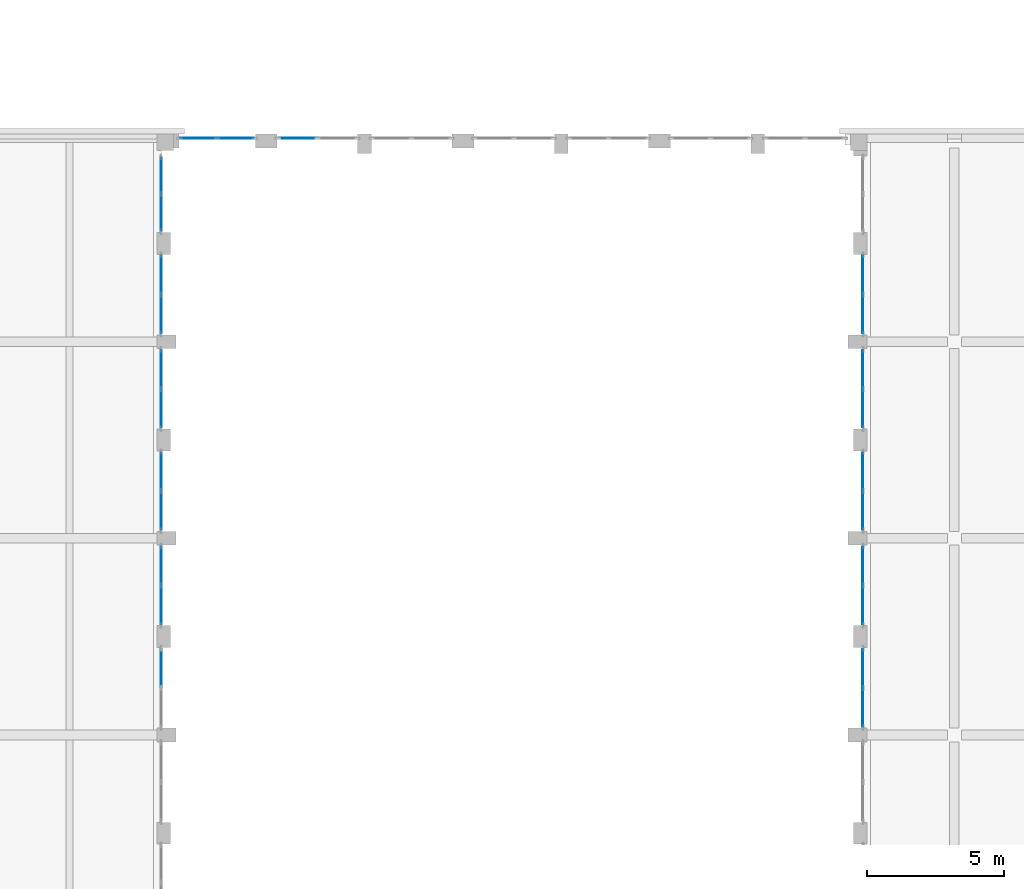
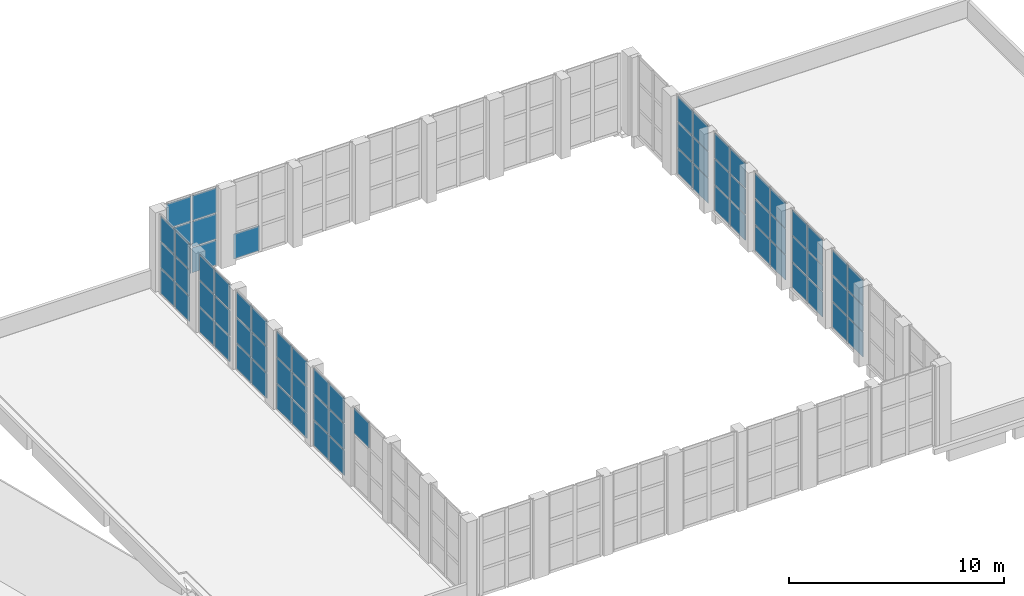
# One storey, part 11 of 44: 68 plates, 13 elements without a shape of their own.
"""IFC4 building model written with IfcOpenShell, lengths in metres."""

from ifc_helpers import new_model, si_unit, direction, frame, origin, origin_2d, place, context, subcontext, project, spatial, rectangle, extrude, material, layer, layer_set, type_object, element, aggregate, save


model = new_model("IFC4")

# Units and contexts
model_context = context("Model", 3, precision=1e-05, world=origin(), true_north=direction((0.0, 1.0)))
body_context = subcontext(model_context, "Body", "Model", "MODEL_VIEW")
ifc_project = project(units=[si_unit("LENGTHUNIT", "METRE"), si_unit("AREAUNIT", "SQUARE_METRE"), si_unit("VOLUMEUNIT", "CUBIC_METRE"), si_unit("PLANEANGLEUNIT", "RADIAN"), si_unit("MASSUNIT", "GRAM", prefix="KILO")], contexts=[model_context])

# Site, building, storey
site_placement = place(None, origin())
site = spatial("IfcSite", under=ifc_project, at=site_placement, CompositionType="ELEMENT")
building_placement = place(site_placement, origin())
building = spatial("IfcBuilding", under=site, at=building_placement, Name="Ussher Court Research Institute", CompositionType="ELEMENT")
storey_placement = place(building_placement, frame((0.0, 0.0, 18.89990234375)))
storey = spatial("IfcBuildingStorey", under=building, at=storey_placement, Name="L04", CompositionType="ELEMENT", Elevation=18.89990234375)

# Curtain wall, plates
ifc_material_1 = material(Name="Bronze anodised aluminium with low-e glass", Category="aluminium")
ifc_layer_1 = layer(ifc_material_1, 0.159912109375)
ifc_layer_set_1 = layer_set([ifc_layer_1], Name="Bronze anodised aluminium with low-e glass")
curtain_wall_type = type_object("IfcCurtainWallType", Name="Curtain wall atrium clerestory tall glazing", PredefinedType="NOTDEFINED", material=ifc_layer_set_1)
curtain_wall_1_placement = place(storey_placement, origin())
curtain_wall_1 = element("IfcCurtainWall", 1, at=curtain_wall_1_placement, inside=storey, type_object=curtain_wall_type, Name="Curtain wall CW3 L04", PredefinedType="NOTDEFINED")
ifc_material_2 = material(Name="Double glazed unit laminated")
ifc_layer_2 = layer(ifc_material_2, 0.035888671875)
ifc_layer_set_2 = layer_set([ifc_layer_2], Name="Double glazed unit laminated")
plate_type = type_object("IfcPlateType", Name="Glazing panel 36 mm", PredefinedType="CURTAIN_PANEL", material=ifc_layer_set_2)
plate_1_placement = place(storey_placement, frame((64.449951171875, 35.24755859375, 0.06005859375), z_axis=(0.0, 0.0, 1.0), x_axis=(0.0, -1.0, 0.0)))
plate_1 = element("IfcPlate", 2, at=plate_1_placement, type_object=plate_type, Name="CW3 panel 1.1", PredefinedType="CURTAIN_PANEL", context=body_context, shape_type="SweptSolid", body=[
    extrude(rectangle(XDim=1.385009765625, YDim=0.035888671875, at=origin_2d()), origin(), (0.0, 0.0, 1.0), 1.409912109375),
])
plate_2_placement = place(storey_placement, frame((64.449951171875, 35.24755859375, 1.530029296875), z_axis=(0.0, 0.0, 1.0), x_axis=(0.0, -1.0, 0.0)))
plate_2 = element("IfcPlate", 3, at=plate_2_placement, type_object=plate_type, Name="CW3 panel 1.2", PredefinedType="CURTAIN_PANEL", context=body_context, shape_type="SweptSolid", body=[
    extrude(rectangle(XDim=1.385009765625, YDim=0.035888671875, at=origin_2d()), origin(), (0.0, 0.0, 1.0), 1.43994140625),
])
plate_3_placement = place(storey_placement, frame((64.449951171875, 35.24755859375, 3.0302734375), z_axis=(0.0, 0.0, 1.0), x_axis=(0.0, -1.0, 0.0)))
plate_3 = element("IfcPlate", 4, at=plate_3_placement, type_object=plate_type, Name="CW3 panel 1.3", PredefinedType="CURTAIN_PANEL", context=body_context, shape_type="SweptSolid", body=[
    extrude(rectangle(XDim=1.385009765625, YDim=0.035888671875, at=origin_2d()), origin(), (0.0, 0.0, 1.0), 1.409912109375),
])
plate_4_placement = place(storey_placement, frame((64.449951171875, 33.802490234375, 0.06005859375), z_axis=(0.0, 0.0, 1.0), x_axis=(0.0, -1.0, 0.0)))
plate_4 = element("IfcPlate", 5, at=plate_4_placement, type_object=plate_type, Name="CW3 panel 2.1", PredefinedType="CURTAIN_PANEL", context=body_context, shape_type="SweptSolid", body=[
    extrude(rectangle(XDim=1.385009765625, YDim=0.035888671875, at=origin_2d()), origin(), (0.0, 0.0, 1.0), 1.409912109375),
])
plate_5_placement = place(storey_placement, frame((64.449951171875, 33.802490234375, 1.530029296875), z_axis=(0.0, 0.0, 1.0), x_axis=(0.0, -1.0, 0.0)))
plate_5 = element("IfcPlate", 6, at=plate_5_placement, type_object=plate_type, Name="CW3 panel 2.2", PredefinedType="CURTAIN_PANEL", context=body_context, shape_type="SweptSolid", body=[
    extrude(rectangle(XDim=1.385009765625, YDim=0.035888671875, at=origin_2d()), origin(), (0.0, 0.0, 1.0), 1.43994140625),
])
plate_6_placement = place(storey_placement, frame((64.449951171875, 33.802490234375, 3.0302734375), z_axis=(0.0, 0.0, 1.0), x_axis=(0.0, -1.0, 0.0)))
plate_6 = element("IfcPlate", 7, at=plate_6_placement, type_object=plate_type, Name="CW3 panel 2.3", PredefinedType="CURTAIN_PANEL", context=body_context, shape_type="SweptSolid", body=[
    extrude(rectangle(XDim=1.385009765625, YDim=0.035888671875, at=origin_2d()), origin(), (0.0, 0.0, 1.0), 1.409912109375),
])
aggregate(curtain_wall_1, [plate_1, plate_2, plate_3, plate_4, plate_5, plate_6])

curtain_wall_2_placement = place(storey_placement, origin())
curtain_wall_2 = element("IfcCurtainWall", 8, at=curtain_wall_2_placement, inside=storey, type_object=curtain_wall_type, Name="Curtain wall CW3 L04", PredefinedType="NOTDEFINED")
plate_7_placement = place(storey_placement, frame((64.449951171875, 31.797607421875, 0.06005859375), z_axis=(0.0, 0.0, 1.0), x_axis=(0.0, -1.0, 0.0)))
plate_7 = element("IfcPlate", 9, at=plate_7_placement, type_object=plate_type, Name="CW3 panel 1.1", PredefinedType="CURTAIN_PANEL", context=body_context, shape_type="SweptSolid", body=[
    extrude(rectangle(XDim=1.385009765625, YDim=0.035888671875, at=origin_2d()), origin(), (0.0, 0.0, 1.0), 1.409912109375),
])
plate_8_placement = place(storey_placement, frame((64.449951171875, 31.797607421875, 1.530029296875), z_axis=(0.0, 0.0, 1.0), x_axis=(0.0, -1.0, 0.0)))
plate_8 = element("IfcPlate", 10, at=plate_8_placement, type_object=plate_type, Name="CW3 panel 1.2", PredefinedType="CURTAIN_PANEL", context=body_context, shape_type="SweptSolid", body=[
    extrude(rectangle(XDim=1.385009765625, YDim=0.035888671875, at=origin_2d()), origin(), (0.0, 0.0, 1.0), 1.43994140625),
])
plate_9_placement = place(storey_placement, frame((64.449951171875, 31.797607421875, 3.0302734375), z_axis=(0.0, 0.0, 1.0), x_axis=(0.0, -1.0, 0.0)))
plate_9 = element("IfcPlate", 11, at=plate_9_placement, type_object=plate_type, Name="CW3 panel 1.3", PredefinedType="CURTAIN_PANEL", context=body_context, shape_type="SweptSolid", body=[
    extrude(rectangle(XDim=1.385009765625, YDim=0.035888671875, at=origin_2d()), origin(), (0.0, 0.0, 1.0), 1.409912109375),
])
plate_10_placement = place(storey_placement, frame((64.449951171875, 30.3525390625, 0.06005859375), z_axis=(0.0, 0.0, 1.0), x_axis=(0.0, -1.0, 0.0)))
plate_10 = element("IfcPlate", 12, at=plate_10_placement, type_object=plate_type, Name="CW3 panel 2.1", PredefinedType="CURTAIN_PANEL", context=body_context, shape_type="SweptSolid", body=[
    extrude(rectangle(XDim=1.385009765625, YDim=0.035888671875, at=origin_2d()), origin(), (0.0, 0.0, 1.0), 1.409912109375),
])
plate_11_placement = place(storey_placement, frame((64.449951171875, 30.3525390625, 1.530029296875), z_axis=(0.0, 0.0, 1.0), x_axis=(0.0, -1.0, 0.0)))
plate_11 = element("IfcPlate", 13, at=plate_11_placement, type_object=plate_type, Name="CW3 panel 2.2", PredefinedType="CURTAIN_PANEL", context=body_context, shape_type="SweptSolid", body=[
    extrude(rectangle(XDim=1.385009765625, YDim=0.035888671875, at=origin_2d()), origin(), (0.0, 0.0, 1.0), 1.43994140625),
])
plate_12_placement = place(storey_placement, frame((64.449951171875, 30.3525390625, 3.0302734375), z_axis=(0.0, 0.0, 1.0), x_axis=(0.0, -1.0, 0.0)))
plate_12 = element("IfcPlate", 14, at=plate_12_placement, type_object=plate_type, Name="CW3 panel 2.3", PredefinedType="CURTAIN_PANEL", context=body_context, shape_type="SweptSolid", body=[
    extrude(rectangle(XDim=1.385009765625, YDim=0.035888671875, at=origin_2d()), origin(), (0.0, 0.0, 1.0), 1.409912109375),
])
aggregate(curtain_wall_2, [plate_7, plate_8, plate_9, plate_10, plate_11, plate_12])

curtain_wall_3_placement = place(storey_placement, origin())
curtain_wall_3 = element("IfcCurtainWall", 15, at=curtain_wall_3_placement, inside=storey, type_object=curtain_wall_type, Name="Curtain wall CW3 L04", PredefinedType="NOTDEFINED")
plate_13_placement = place(storey_placement, frame((64.449951171875, 28.047607421875, 0.06005859375), z_axis=(0.0, 0.0, 1.0), x_axis=(0.0, -1.0, 0.0)))
plate_13 = element("IfcPlate", 16, at=plate_13_placement, type_object=plate_type, Name="CW3 panel 1.1", PredefinedType="CURTAIN_PANEL", context=body_context, shape_type="SweptSolid", body=[
    extrude(rectangle(XDim=1.385009765625, YDim=0.035888671875, at=origin_2d()), origin(), (0.0, 0.0, 1.0), 1.409912109375),
])
plate_14_placement = place(storey_placement, frame((64.449951171875, 28.047607421875, 1.530029296875), z_axis=(0.0, 0.0, 1.0), x_axis=(0.0, -1.0, 0.0)))
plate_14 = element("IfcPlate", 17, at=plate_14_placement, type_object=plate_type, Name="CW3 panel 1.2", PredefinedType="CURTAIN_PANEL", context=body_context, shape_type="SweptSolid", body=[
    extrude(rectangle(XDim=1.385009765625, YDim=0.035888671875, at=origin_2d()), origin(), (0.0, 0.0, 1.0), 1.43994140625),
])
plate_15_placement = place(storey_placement, frame((64.449951171875, 28.047607421875, 3.0302734375), z_axis=(0.0, 0.0, 1.0), x_axis=(0.0, -1.0, 0.0)))
plate_15 = element("IfcPlate", 18, at=plate_15_placement, type_object=plate_type, Name="CW3 panel 1.3", PredefinedType="CURTAIN_PANEL", context=body_context, shape_type="SweptSolid", body=[
    extrude(rectangle(XDim=1.385009765625, YDim=0.035888671875, at=origin_2d()), origin(), (0.0, 0.0, 1.0), 1.409912109375),
])
plate_16_placement = place(storey_placement, frame((64.449951171875, 26.6025390625, 0.06005859375), z_axis=(0.0, 0.0, 1.0), x_axis=(0.0, -1.0, 0.0)))
plate_16 = element("IfcPlate", 19, at=plate_16_placement, type_object=plate_type, Name="CW3 panel 2.1", PredefinedType="CURTAIN_PANEL", context=body_context, shape_type="SweptSolid", body=[
    extrude(rectangle(XDim=1.385009765625, YDim=0.035888671875, at=origin_2d()), origin(), (0.0, 0.0, 1.0), 1.409912109375),
])
plate_17_placement = place(storey_placement, frame((64.449951171875, 26.6025390625, 1.530029296875), z_axis=(0.0, 0.0, 1.0), x_axis=(0.0, -1.0, 0.0)))
plate_17 = element("IfcPlate", 20, at=plate_17_placement, type_object=plate_type, Name="CW3 panel 2.2", PredefinedType="CURTAIN_PANEL", context=body_context, shape_type="SweptSolid", body=[
    extrude(rectangle(XDim=1.385009765625, YDim=0.035888671875, at=origin_2d()), origin(), (0.0, 0.0, 1.0), 1.43994140625),
])
plate_18_placement = place(storey_placement, frame((64.449951171875, 26.6025390625, 3.0302734375), z_axis=(0.0, 0.0, 1.0), x_axis=(0.0, -1.0, 0.0)))
plate_18 = element("IfcPlate", 21, at=plate_18_placement, type_object=plate_type, Name="CW3 panel 2.3", PredefinedType="CURTAIN_PANEL", context=body_context, shape_type="SweptSolid", body=[
    extrude(rectangle(XDim=1.385009765625, YDim=0.035888671875, at=origin_2d()), origin(), (0.0, 0.0, 1.0), 1.409912109375),
])
aggregate(curtain_wall_3, [plate_13, plate_14, plate_15, plate_16, plate_17, plate_18])

curtain_wall_4_placement = place(storey_placement, origin())
curtain_wall_4 = element("IfcCurtainWall", 22, at=curtain_wall_4_placement, inside=storey, type_object=curtain_wall_type, Name="Curtain wall CW3 L04", PredefinedType="NOTDEFINED")
plate_19_placement = place(storey_placement, frame((64.449951171875, 24.597412109375, 0.06005859375), z_axis=(0.0, 0.0, 1.0), x_axis=(0.0, -1.0, 0.0)))
plate_19 = element("IfcPlate", 23, at=plate_19_placement, type_object=plate_type, Name="CW3 panel 1.1", PredefinedType="CURTAIN_PANEL", context=body_context, shape_type="SweptSolid", body=[
    extrude(rectangle(XDim=1.385009765625, YDim=0.035888671875, at=origin_2d()), origin(), (0.0, 0.0, 1.0), 1.409912109375),
])
plate_20_placement = place(storey_placement, frame((64.449951171875, 24.597412109375, 1.530029296875), z_axis=(0.0, 0.0, 1.0), x_axis=(0.0, -1.0, 0.0)))
plate_20 = element("IfcPlate", 24, at=plate_20_placement, type_object=plate_type, Name="CW3 panel 1.2", PredefinedType="CURTAIN_PANEL", context=body_context, shape_type="SweptSolid", body=[
    extrude(rectangle(XDim=1.385009765625, YDim=0.035888671875, at=origin_2d()), origin(), (0.0, 0.0, 1.0), 1.43994140625),
])
plate_21_placement = place(storey_placement, frame((64.449951171875, 24.597412109375, 3.0302734375), z_axis=(0.0, 0.0, 1.0), x_axis=(0.0, -1.0, 0.0)))
plate_21 = element("IfcPlate", 25, at=plate_21_placement, type_object=plate_type, Name="CW3 panel 1.3", PredefinedType="CURTAIN_PANEL", context=body_context, shape_type="SweptSolid", body=[
    extrude(rectangle(XDim=1.385009765625, YDim=0.035888671875, at=origin_2d()), origin(), (0.0, 0.0, 1.0), 1.409912109375),
])
plate_22_placement = place(storey_placement, frame((64.449951171875, 23.152587890625, 0.06005859375), z_axis=(0.0, 0.0, 1.0), x_axis=(0.0, -1.0, 0.0)))
plate_22 = element("IfcPlate", 26, at=plate_22_placement, type_object=plate_type, Name="CW3 panel 2.1", PredefinedType="CURTAIN_PANEL", context=body_context, shape_type="SweptSolid", body=[
    extrude(rectangle(XDim=1.385009765625, YDim=0.035888671875, at=origin_2d()), origin(), (0.0, 0.0, 1.0), 1.409912109375),
])
plate_23_placement = place(storey_placement, frame((64.449951171875, 23.152587890625, 1.530029296875), z_axis=(0.0, 0.0, 1.0), x_axis=(0.0, -1.0, 0.0)))
plate_23 = element("IfcPlate", 27, at=plate_23_placement, type_object=plate_type, Name="CW3 panel 2.2", PredefinedType="CURTAIN_PANEL", context=body_context, shape_type="SweptSolid", body=[
    extrude(rectangle(XDim=1.385009765625, YDim=0.035888671875, at=origin_2d()), origin(), (0.0, 0.0, 1.0), 1.43994140625),
])
plate_24_placement = place(storey_placement, frame((64.449951171875, 23.152587890625, 3.0302734375), z_axis=(0.0, 0.0, 1.0), x_axis=(0.0, -1.0, 0.0)))
plate_24 = element("IfcPlate", 28, at=plate_24_placement, type_object=plate_type, Name="CW3 panel 2.3", PredefinedType="CURTAIN_PANEL", context=body_context, shape_type="SweptSolid", body=[
    extrude(rectangle(XDim=1.385009765625, YDim=0.035888671875, at=origin_2d()), origin(), (0.0, 0.0, 1.0), 1.409912109375),
])
aggregate(curtain_wall_4, [plate_19, plate_20, plate_21, plate_22, plate_23, plate_24])

curtain_wall_5_placement = place(storey_placement, origin())
curtain_wall_5 = element("IfcCurtainWall", 29, at=curtain_wall_5_placement, inside=storey, type_object=curtain_wall_type, Name="Curtain wall CW3 L04", PredefinedType="NOTDEFINED")
plate_25_placement = place(storey_placement, frame((64.449951171875, 20.847412109375, 0.06005859375), z_axis=(0.0, 0.0, 1.0), x_axis=(0.0, -1.0, 0.0)))
plate_25 = element("IfcPlate", 30, at=plate_25_placement, type_object=plate_type, Name="CW3 panel 1.1", PredefinedType="CURTAIN_PANEL", context=body_context, shape_type="SweptSolid", body=[
    extrude(rectangle(XDim=1.385009765625, YDim=0.035888671875, at=origin_2d()), origin(), (0.0, 0.0, 1.0), 1.409912109375),
])
plate_26_placement = place(storey_placement, frame((64.449951171875, 20.847412109375, 1.530029296875), z_axis=(0.0, 0.0, 1.0), x_axis=(0.0, -1.0, 0.0)))
plate_26 = element("IfcPlate", 31, at=plate_26_placement, type_object=plate_type, Name="CW3 panel 1.2", PredefinedType="CURTAIN_PANEL", context=body_context, shape_type="SweptSolid", body=[
    extrude(rectangle(XDim=1.385009765625, YDim=0.035888671875, at=origin_2d()), origin(), (0.0, 0.0, 1.0), 1.43994140625),
])
plate_27_placement = place(storey_placement, frame((64.449951171875, 20.847412109375, 3.0302734375), z_axis=(0.0, 0.0, 1.0), x_axis=(0.0, -1.0, 0.0)))
plate_27 = element("IfcPlate", 32, at=plate_27_placement, type_object=plate_type, Name="CW3 panel 1.3", PredefinedType="CURTAIN_PANEL", context=body_context, shape_type="SweptSolid", body=[
    extrude(rectangle(XDim=1.385009765625, YDim=0.035888671875, at=origin_2d()), origin(), (0.0, 0.0, 1.0), 1.409912109375),
])
plate_28_placement = place(storey_placement, frame((64.449951171875, 19.402587890625, 0.06005859375), z_axis=(0.0, 0.0, 1.0), x_axis=(0.0, -1.0, 0.0)))
plate_28 = element("IfcPlate", 33, at=plate_28_placement, type_object=plate_type, Name="CW3 panel 2.1", PredefinedType="CURTAIN_PANEL", context=body_context, shape_type="SweptSolid", body=[
    extrude(rectangle(XDim=1.385009765625, YDim=0.035888671875, at=origin_2d()), origin(), (0.0, 0.0, 1.0), 1.409912109375),
])
plate_29_placement = place(storey_placement, frame((64.449951171875, 19.402587890625, 1.530029296875), z_axis=(0.0, 0.0, 1.0), x_axis=(0.0, -1.0, 0.0)))
plate_29 = element("IfcPlate", 34, at=plate_29_placement, type_object=plate_type, Name="CW3 panel 2.2", PredefinedType="CURTAIN_PANEL", context=body_context, shape_type="SweptSolid", body=[
    extrude(rectangle(XDim=1.385009765625, YDim=0.035888671875, at=origin_2d()), origin(), (0.0, 0.0, 1.0), 1.43994140625),
])
plate_30_placement = place(storey_placement, frame((64.449951171875, 19.402587890625, 3.0302734375), z_axis=(0.0, 0.0, 1.0), x_axis=(0.0, -1.0, 0.0)))
plate_30 = element("IfcPlate", 35, at=plate_30_placement, type_object=plate_type, Name="CW3 panel 2.3", PredefinedType="CURTAIN_PANEL", context=body_context, shape_type="SweptSolid", body=[
    extrude(rectangle(XDim=1.385009765625, YDim=0.035888671875, at=origin_2d()), origin(), (0.0, 0.0, 1.0), 1.409912109375),
])
aggregate(curtain_wall_5, [plate_25, plate_26, plate_27, plate_28, plate_29, plate_30])

# Curtain wall, plate
curtain_wall_6_placement = place(storey_placement, origin())
curtain_wall_6 = element("IfcCurtainWall", 36, at=curtain_wall_6_placement, inside=storey, type_object=curtain_wall_type, Name="Curtain wall CW3 L04", PredefinedType="NOTDEFINED")
plate_31_placement = place(storey_placement, frame((38.75, 20.847412109375, 3.0302734375), z_axis=(0.0, 0.0, 1.0), x_axis=(0.0, 1.0, 0.0)))
plate_31 = element("IfcPlate", 37, at=plate_31_placement, type_object=plate_type, Name="CW3 panel 2.3", PredefinedType="CURTAIN_PANEL", context=body_context, shape_type="SweptSolid", body=[
    extrude(rectangle(XDim=1.385009765625, YDim=0.035888671875, at=origin_2d()), origin(), (0.0, 0.0, 1.0), 1.409912109375),
])
aggregate(curtain_wall_6, [plate_31])

# Curtain wall, plates
curtain_wall_7_placement = place(storey_placement, origin())
curtain_wall_7 = element("IfcCurtainWall", 38, at=curtain_wall_7_placement, inside=storey, type_object=curtain_wall_type, Name="Curtain wall CW3 L04", PredefinedType="NOTDEFINED")
plate_32_placement = place(storey_placement, frame((38.75, 23.152587890625, 0.06005859375), z_axis=(0.0, 0.0, 1.0), x_axis=(0.0, 1.0, 0.0)))
plate_32 = element("IfcPlate", 39, at=plate_32_placement, type_object=plate_type, Name="CW3 panel 1.1", PredefinedType="CURTAIN_PANEL", context=body_context, shape_type="SweptSolid", body=[
    extrude(rectangle(XDim=1.385009765625, YDim=0.035888671875, at=origin_2d()), origin(), (0.0, 0.0, 1.0), 1.409912109375),
])
plate_33_placement = place(storey_placement, frame((38.75, 23.152587890625, 1.530029296875), z_axis=(0.0, 0.0, 1.0), x_axis=(0.0, 1.0, 0.0)))
plate_33 = element("IfcPlate", 40, at=plate_33_placement, type_object=plate_type, Name="CW3 panel 1.2", PredefinedType="CURTAIN_PANEL", context=body_context, shape_type="SweptSolid", body=[
    extrude(rectangle(XDim=1.385009765625, YDim=0.035888671875, at=origin_2d()), origin(), (0.0, 0.0, 1.0), 1.43994140625),
])
plate_34_placement = place(storey_placement, frame((38.75, 23.152587890625, 3.0302734375), z_axis=(0.0, 0.0, 1.0), x_axis=(0.0, 1.0, 0.0)))
plate_34 = element("IfcPlate", 41, at=plate_34_placement, type_object=plate_type, Name="CW3 panel 1.3", PredefinedType="CURTAIN_PANEL", context=body_context, shape_type="SweptSolid", body=[
    extrude(rectangle(XDim=1.385009765625, YDim=0.035888671875, at=origin_2d()), origin(), (0.0, 0.0, 1.0), 1.409912109375),
])
plate_35_placement = place(storey_placement, frame((38.75, 24.597412109375, 0.06005859375), z_axis=(0.0, 0.0, 1.0), x_axis=(0.0, 1.0, 0.0)))
plate_35 = element("IfcPlate", 42, at=plate_35_placement, type_object=plate_type, Name="CW3 panel 2.1", PredefinedType="CURTAIN_PANEL", context=body_context, shape_type="SweptSolid", body=[
    extrude(rectangle(XDim=1.385009765625, YDim=0.035888671875, at=origin_2d()), origin(), (0.0, 0.0, 1.0), 1.409912109375),
])
plate_36_placement = place(storey_placement, frame((38.75, 24.597412109375, 1.530029296875), z_axis=(0.0, 0.0, 1.0), x_axis=(0.0, 1.0, 0.0)))
plate_36 = element("IfcPlate", 43, at=plate_36_placement, type_object=plate_type, Name="CW3 panel 2.2", PredefinedType="CURTAIN_PANEL", context=body_context, shape_type="SweptSolid", body=[
    extrude(rectangle(XDim=1.385009765625, YDim=0.035888671875, at=origin_2d()), origin(), (0.0, 0.0, 1.0), 1.43994140625),
])
plate_37_placement = place(storey_placement, frame((38.75, 24.597412109375, 3.0302734375), z_axis=(0.0, 0.0, 1.0), x_axis=(0.0, 1.0, 0.0)))
plate_37 = element("IfcPlate", 44, at=plate_37_placement, type_object=plate_type, Name="CW3 panel 2.3", PredefinedType="CURTAIN_PANEL", context=body_context, shape_type="SweptSolid", body=[
    extrude(rectangle(XDim=1.385009765625, YDim=0.035888671875, at=origin_2d()), origin(), (0.0, 0.0, 1.0), 1.409912109375),
])
aggregate(curtain_wall_7, [plate_32, plate_33, plate_34, plate_35, plate_36, plate_37])

curtain_wall_8_placement = place(storey_placement, origin())
curtain_wall_8 = element("IfcCurtainWall", 45, at=curtain_wall_8_placement, inside=storey, type_object=curtain_wall_type, Name="Curtain wall CW3 L04", PredefinedType="NOTDEFINED")
plate_38_placement = place(storey_placement, frame((38.75, 26.6025390625, 0.06005859375), z_axis=(0.0, 0.0, 1.0), x_axis=(0.0, 1.0, 0.0)))
plate_38 = element("IfcPlate", 46, at=plate_38_placement, type_object=plate_type, Name="CW3 panel 1.1", PredefinedType="CURTAIN_PANEL", context=body_context, shape_type="SweptSolid", body=[
    extrude(rectangle(XDim=1.385009765625, YDim=0.035888671875, at=origin_2d()), origin(), (0.0, 0.0, 1.0), 1.409912109375),
])
plate_39_placement = place(storey_placement, frame((38.75, 26.6025390625, 1.530029296875), z_axis=(0.0, 0.0, 1.0), x_axis=(0.0, 1.0, 0.0)))
plate_39 = element("IfcPlate", 47, at=plate_39_placement, type_object=plate_type, Name="CW3 panel 1.2", PredefinedType="CURTAIN_PANEL", context=body_context, shape_type="SweptSolid", body=[
    extrude(rectangle(XDim=1.385009765625, YDim=0.035888671875, at=origin_2d()), origin(), (0.0, 0.0, 1.0), 1.43994140625),
])
plate_40_placement = place(storey_placement, frame((38.75, 26.6025390625, 3.0302734375), z_axis=(0.0, 0.0, 1.0), x_axis=(0.0, 1.0, 0.0)))
plate_40 = element("IfcPlate", 48, at=plate_40_placement, type_object=plate_type, Name="CW3 panel 1.3", PredefinedType="CURTAIN_PANEL", context=body_context, shape_type="SweptSolid", body=[
    extrude(rectangle(XDim=1.385009765625, YDim=0.035888671875, at=origin_2d()), origin(), (0.0, 0.0, 1.0), 1.409912109375),
])
plate_41_placement = place(storey_placement, frame((38.75, 28.047607421875, 0.06005859375), z_axis=(0.0, 0.0, 1.0), x_axis=(0.0, 1.0, 0.0)))
plate_41 = element("IfcPlate", 49, at=plate_41_placement, type_object=plate_type, Name="CW3 panel 2.1", PredefinedType="CURTAIN_PANEL", context=body_context, shape_type="SweptSolid", body=[
    extrude(rectangle(XDim=1.385009765625, YDim=0.035888671875, at=origin_2d()), origin(), (0.0, 0.0, 1.0), 1.409912109375),
])
plate_42_placement = place(storey_placement, frame((38.75, 28.047607421875, 1.530029296875), z_axis=(0.0, 0.0, 1.0), x_axis=(0.0, 1.0, 0.0)))
plate_42 = element("IfcPlate", 50, at=plate_42_placement, type_object=plate_type, Name="CW3 panel 2.2", PredefinedType="CURTAIN_PANEL", context=body_context, shape_type="SweptSolid", body=[
    extrude(rectangle(XDim=1.385009765625, YDim=0.035888671875, at=origin_2d()), origin(), (0.0, 0.0, 1.0), 1.43994140625),
])
plate_43_placement = place(storey_placement, frame((38.75, 28.047607421875, 3.0302734375), z_axis=(0.0, 0.0, 1.0), x_axis=(0.0, 1.0, 0.0)))
plate_43 = element("IfcPlate", 51, at=plate_43_placement, type_object=plate_type, Name="CW3 panel 2.3", PredefinedType="CURTAIN_PANEL", context=body_context, shape_type="SweptSolid", body=[
    extrude(rectangle(XDim=1.385009765625, YDim=0.035888671875, at=origin_2d()), origin(), (0.0, 0.0, 1.0), 1.409912109375),
])
aggregate(curtain_wall_8, [plate_38, plate_39, plate_40, plate_41, plate_42, plate_43])

curtain_wall_9_placement = place(storey_placement, origin())
curtain_wall_9 = element("IfcCurtainWall", 52, at=curtain_wall_9_placement, inside=storey, type_object=curtain_wall_type, Name="Curtain wall CW3 L04", PredefinedType="NOTDEFINED")
plate_44_placement = place(storey_placement, frame((38.75, 30.3525390625, 0.06005859375), z_axis=(0.0, 0.0, 1.0), x_axis=(0.0, 1.0, 0.0)))
plate_44 = element("IfcPlate", 53, at=plate_44_placement, type_object=plate_type, Name="CW3 panel 1.1", PredefinedType="CURTAIN_PANEL", context=body_context, shape_type="SweptSolid", body=[
    extrude(rectangle(XDim=1.385009765625, YDim=0.035888671875, at=origin_2d()), origin(), (0.0, 0.0, 1.0), 1.409912109375),
])
plate_45_placement = place(storey_placement, frame((38.75, 30.3525390625, 1.530029296875), z_axis=(0.0, 0.0, 1.0), x_axis=(0.0, 1.0, 0.0)))
plate_45 = element("IfcPlate", 54, at=plate_45_placement, type_object=plate_type, Name="CW3 panel 1.2", PredefinedType="CURTAIN_PANEL", context=body_context, shape_type="SweptSolid", body=[
    extrude(rectangle(XDim=1.385009765625, YDim=0.035888671875, at=origin_2d()), origin(), (0.0, 0.0, 1.0), 1.43994140625),
])
plate_46_placement = place(storey_placement, frame((38.75, 30.3525390625, 3.0302734375), z_axis=(0.0, 0.0, 1.0), x_axis=(0.0, 1.0, 0.0)))
plate_46 = element("IfcPlate", 55, at=plate_46_placement, type_object=plate_type, Name="CW3 panel 1.3", PredefinedType="CURTAIN_PANEL", context=body_context, shape_type="SweptSolid", body=[
    extrude(rectangle(XDim=1.385009765625, YDim=0.035888671875, at=origin_2d()), origin(), (0.0, 0.0, 1.0), 1.409912109375),
])
plate_47_placement = place(storey_placement, frame((38.75, 31.797607421875, 0.06005859375), z_axis=(0.0, 0.0, 1.0), x_axis=(0.0, 1.0, 0.0)))
plate_47 = element("IfcPlate", 56, at=plate_47_placement, type_object=plate_type, Name="CW3 panel 2.1", PredefinedType="CURTAIN_PANEL", context=body_context, shape_type="SweptSolid", body=[
    extrude(rectangle(XDim=1.385009765625, YDim=0.035888671875, at=origin_2d()), origin(), (0.0, 0.0, 1.0), 1.409912109375),
])
plate_48_placement = place(storey_placement, frame((38.75, 31.797607421875, 1.530029296875), z_axis=(0.0, 0.0, 1.0), x_axis=(0.0, 1.0, 0.0)))
plate_48 = element("IfcPlate", 57, at=plate_48_placement, type_object=plate_type, Name="CW3 panel 2.2", PredefinedType="CURTAIN_PANEL", context=body_context, shape_type="SweptSolid", body=[
    extrude(rectangle(XDim=1.385009765625, YDim=0.035888671875, at=origin_2d()), origin(), (0.0, 0.0, 1.0), 1.43994140625),
])
plate_49_placement = place(storey_placement, frame((38.75, 31.797607421875, 3.0302734375), z_axis=(0.0, 0.0, 1.0), x_axis=(0.0, 1.0, 0.0)))
plate_49 = element("IfcPlate", 58, at=plate_49_placement, type_object=plate_type, Name="CW3 panel 2.3", PredefinedType="CURTAIN_PANEL", context=body_context, shape_type="SweptSolid", body=[
    extrude(rectangle(XDim=1.385009765625, YDim=0.035888671875, at=origin_2d()), origin(), (0.0, 0.0, 1.0), 1.409912109375),
])
aggregate(curtain_wall_9, [plate_44, plate_45, plate_46, plate_47, plate_48, plate_49])

curtain_wall_10_placement = place(storey_placement, origin())
curtain_wall_10 = element("IfcCurtainWall", 59, at=curtain_wall_10_placement, inside=storey, type_object=curtain_wall_type, Name="Curtain wall CW3 L04", PredefinedType="NOTDEFINED")
plate_50_placement = place(storey_placement, frame((38.75, 33.802490234375, 0.06005859375), z_axis=(0.0, 0.0, 1.0), x_axis=(0.0, 1.0, 0.0)))
plate_50 = element("IfcPlate", 60, at=plate_50_placement, type_object=plate_type, Name="CW3 panel 1.1", PredefinedType="CURTAIN_PANEL", context=body_context, shape_type="SweptSolid", body=[
    extrude(rectangle(XDim=1.385009765625, YDim=0.035888671875, at=origin_2d()), origin(), (0.0, 0.0, 1.0), 1.409912109375),
])
plate_51_placement = place(storey_placement, frame((38.75, 33.802490234375, 1.530029296875), z_axis=(0.0, 0.0, 1.0), x_axis=(0.0, 1.0, 0.0)))
plate_51 = element("IfcPlate", 61, at=plate_51_placement, type_object=plate_type, Name="CW3 panel 1.2", PredefinedType="CURTAIN_PANEL", context=body_context, shape_type="SweptSolid", body=[
    extrude(rectangle(XDim=1.385009765625, YDim=0.035888671875, at=origin_2d()), origin(), (0.0, 0.0, 1.0), 1.43994140625),
])
plate_52_placement = place(storey_placement, frame((38.75, 33.802490234375, 3.0302734375), z_axis=(0.0, 0.0, 1.0), x_axis=(0.0, 1.0, 0.0)))
plate_52 = element("IfcPlate", 62, at=plate_52_placement, type_object=plate_type, Name="CW3 panel 1.3", PredefinedType="CURTAIN_PANEL", context=body_context, shape_type="SweptSolid", body=[
    extrude(rectangle(XDim=1.385009765625, YDim=0.035888671875, at=origin_2d()), origin(), (0.0, 0.0, 1.0), 1.409912109375),
])
plate_53_placement = place(storey_placement, frame((38.75, 35.24755859375, 0.06005859375), z_axis=(0.0, 0.0, 1.0), x_axis=(0.0, 1.0, 0.0)))
plate_53 = element("IfcPlate", 63, at=plate_53_placement, type_object=plate_type, Name="CW3 panel 2.1", PredefinedType="CURTAIN_PANEL", context=body_context, shape_type="SweptSolid", body=[
    extrude(rectangle(XDim=1.385009765625, YDim=0.035888671875, at=origin_2d()), origin(), (0.0, 0.0, 1.0), 1.409912109375),
])
plate_54_placement = place(storey_placement, frame((38.75, 35.24755859375, 1.530029296875), z_axis=(0.0, 0.0, 1.0), x_axis=(0.0, 1.0, 0.0)))
plate_54 = element("IfcPlate", 64, at=plate_54_placement, type_object=plate_type, Name="CW3 panel 2.2", PredefinedType="CURTAIN_PANEL", context=body_context, shape_type="SweptSolid", body=[
    extrude(rectangle(XDim=1.385009765625, YDim=0.035888671875, at=origin_2d()), origin(), (0.0, 0.0, 1.0), 1.43994140625),
])
plate_55_placement = place(storey_placement, frame((38.75, 35.24755859375, 3.0302734375), z_axis=(0.0, 0.0, 1.0), x_axis=(0.0, 1.0, 0.0)))
plate_55 = element("IfcPlate", 65, at=plate_55_placement, type_object=plate_type, Name="CW3 panel 2.3", PredefinedType="CURTAIN_PANEL", context=body_context, shape_type="SweptSolid", body=[
    extrude(rectangle(XDim=1.385009765625, YDim=0.035888671875, at=origin_2d()), origin(), (0.0, 0.0, 1.0), 1.409912109375),
])
aggregate(curtain_wall_10, [plate_50, plate_51, plate_52, plate_53, plate_54, plate_55])

curtain_wall_11_placement = place(storey_placement, origin())
curtain_wall_11 = element("IfcCurtainWall", 66, at=curtain_wall_11_placement, inside=storey, type_object=curtain_wall_type, Name="Curtain wall CW3 L04", PredefinedType="NOTDEFINED")
plate_56_placement = place(storey_placement, frame((38.75, 37.514892578125, 0.06005859375), z_axis=(0.0, 0.0, 1.0), x_axis=(0.0, 1.0, 0.0)))
plate_56 = element("IfcPlate", 67, at=plate_56_placement, type_object=plate_type, Name="CW3 panel 1.1", PredefinedType="CURTAIN_PANEL", context=body_context, shape_type="SweptSolid", body=[
    extrude(rectangle(XDim=1.31005859375, YDim=0.035888671875, at=origin_2d()), origin(), (0.0, 0.0, 1.0), 1.409912109375),
])
plate_57_placement = place(storey_placement, frame((38.75, 37.514892578125, 1.530029296875), z_axis=(0.0, 0.0, 1.0), x_axis=(0.0, 1.0, 0.0)))
plate_57 = element("IfcPlate", 68, at=plate_57_placement, type_object=plate_type, Name="CW3 panel 1.2", PredefinedType="CURTAIN_PANEL", context=body_context, shape_type="SweptSolid", body=[
    extrude(rectangle(XDim=1.31005859375, YDim=0.035888671875, at=origin_2d()), origin(), (0.0, 0.0, 1.0), 1.43994140625),
])
plate_58_placement = place(storey_placement, frame((38.75, 37.514892578125, 3.0302734375), z_axis=(0.0, 0.0, 1.0), x_axis=(0.0, 1.0, 0.0)))
plate_58 = element("IfcPlate", 69, at=plate_58_placement, type_object=plate_type, Name="CW3 panel 1.3", PredefinedType="CURTAIN_PANEL", context=body_context, shape_type="SweptSolid", body=[
    extrude(rectangle(XDim=1.31005859375, YDim=0.035888671875, at=origin_2d()), origin(), (0.0, 0.0, 1.0), 1.409912109375),
])
plate_59_placement = place(storey_placement, frame((38.75, 38.885009765625, 0.06005859375), z_axis=(0.0, 0.0, 1.0), x_axis=(0.0, 1.0, 0.0)))
plate_59 = element("IfcPlate", 70, at=plate_59_placement, type_object=plate_type, Name="CW3 panel 2.1", PredefinedType="CURTAIN_PANEL", context=body_context, shape_type="SweptSolid", body=[
    extrude(rectangle(XDim=1.31005859375, YDim=0.035888671875, at=origin_2d()), origin(), (0.0, 0.0, 1.0), 1.409912109375),
])
plate_60_placement = place(storey_placement, frame((38.75, 38.885009765625, 1.530029296875), z_axis=(0.0, 0.0, 1.0), x_axis=(0.0, 1.0, 0.0)))
plate_60 = element("IfcPlate", 71, at=plate_60_placement, type_object=plate_type, Name="CW3 panel 2.2", PredefinedType="CURTAIN_PANEL", context=body_context, shape_type="SweptSolid", body=[
    extrude(rectangle(XDim=1.31005859375, YDim=0.035888671875, at=origin_2d()), origin(), (0.0, 0.0, 1.0), 1.43994140625),
])
plate_61_placement = place(storey_placement, frame((38.75, 38.885009765625, 3.0302734375), z_axis=(0.0, 0.0, 1.0), x_axis=(0.0, 1.0, 0.0)))
plate_61 = element("IfcPlate", 72, at=plate_61_placement, type_object=plate_type, Name="CW3 panel 2.3", PredefinedType="CURTAIN_PANEL", context=body_context, shape_type="SweptSolid", body=[
    extrude(rectangle(XDim=1.31005859375, YDim=0.035888671875, at=origin_2d()), origin(), (0.0, 0.0, 1.0), 1.409912109375),
])
aggregate(curtain_wall_11, [plate_56, plate_57, plate_58, plate_59, plate_60, plate_61])

curtain_wall_12_placement = place(storey_placement, origin())
curtain_wall_12 = element("IfcCurtainWall", 73, at=curtain_wall_12_placement, inside=storey, type_object=curtain_wall_type, Name="Curtain wall CW3 L04", PredefinedType="NOTDEFINED")
plate_62_placement = place(storey_placement, frame((40.114990234375, 40.25, 0.06005859375), z_axis=(0.0, 0.0, 1.0), x_axis=(1.0, 0.0, 0.0)))
plate_62 = element("IfcPlate", 74, at=plate_62_placement, type_object=plate_type, Name="CW3 panel 1.1", PredefinedType="CURTAIN_PANEL", context=body_context, shape_type="SweptSolid", body=[
    extrude(rectangle(XDim=1.31005859375, YDim=0.035888671875, at=origin_2d()), origin(), (0.0, 0.0, 1.0), 1.409912109375),
])
plate_63_placement = place(storey_placement, frame((40.114990234375, 40.25, 1.530029296875), z_axis=(0.0, 0.0, 1.0), x_axis=(1.0, 0.0, 0.0)))
plate_63 = element("IfcPlate", 75, at=plate_63_placement, type_object=plate_type, Name="CW3 panel 1.2", PredefinedType="CURTAIN_PANEL", context=body_context, shape_type="SweptSolid", body=[
    extrude(rectangle(XDim=1.31005859375, YDim=0.035888671875, at=origin_2d()), origin(), (0.0, 0.0, 1.0), 1.43994140625),
])
plate_64_placement = place(storey_placement, frame((40.114990234375, 40.25, 3.0302734375), z_axis=(0.0, 0.0, 1.0), x_axis=(1.0, 0.0, 0.0)))
plate_64 = element("IfcPlate", 76, at=plate_64_placement, type_object=plate_type, Name="CW3 panel 1.3", PredefinedType="CURTAIN_PANEL", context=body_context, shape_type="SweptSolid", body=[
    extrude(rectangle(XDim=1.31005859375, YDim=0.035888671875, at=origin_2d()), origin(), (0.0, 0.0, 1.0), 1.409912109375),
])
plate_65_placement = place(storey_placement, frame((41.485107421875, 40.25, 0.06005859375), z_axis=(0.0, 0.0, 1.0), x_axis=(1.0, 0.0, 0.0)))
plate_65 = element("IfcPlate", 77, at=plate_65_placement, type_object=plate_type, Name="CW3 panel 2.1", PredefinedType="CURTAIN_PANEL", context=body_context, shape_type="SweptSolid", body=[
    extrude(rectangle(XDim=1.31005859375, YDim=0.035888671875, at=origin_2d()), origin(), (0.0, 0.0, 1.0), 1.409912109375),
])
plate_66_placement = place(storey_placement, frame((41.485107421875, 40.25, 1.530029296875), z_axis=(0.0, 0.0, 1.0), x_axis=(1.0, 0.0, 0.0)))
plate_66 = element("IfcPlate", 78, at=plate_66_placement, type_object=plate_type, Name="CW3 panel 2.2", PredefinedType="CURTAIN_PANEL", context=body_context, shape_type="SweptSolid", body=[
    extrude(rectangle(XDim=1.31005859375, YDim=0.035888671875, at=origin_2d()), origin(), (0.0, 0.0, 1.0), 1.43994140625),
])
plate_67_placement = place(storey_placement, frame((41.485107421875, 40.25, 3.0302734375), z_axis=(0.0, 0.0, 1.0), x_axis=(1.0, 0.0, 0.0)))
plate_67 = element("IfcPlate", 79, at=plate_67_placement, type_object=plate_type, Name="CW3 panel 2.3", PredefinedType="CURTAIN_PANEL", context=body_context, shape_type="SweptSolid", body=[
    extrude(rectangle(XDim=1.31005859375, YDim=0.035888671875, at=origin_2d()), origin(), (0.0, 0.0, 1.0), 1.409912109375),
])
aggregate(curtain_wall_12, [plate_62, plate_63, plate_64, plate_65, plate_66, plate_67])

# Curtain wall, plate
curtain_wall_13_placement = place(storey_placement, origin())
curtain_wall_13 = element("IfcCurtainWall", 80, at=curtain_wall_13_placement, inside=storey, type_object=curtain_wall_type, Name="Curtain wall CW3 L04", PredefinedType="NOTDEFINED")
plate_68_placement = place(storey_placement, frame((43.75244140625, 40.25, 0.06005859375), z_axis=(0.0, 0.0, 1.0), x_axis=(1.0, 0.0, 0.0)))
plate_68 = element("IfcPlate", 81, at=plate_68_placement, type_object=plate_type, Name="CW3 panel 1.1", PredefinedType="CURTAIN_PANEL", context=body_context, shape_type="SweptSolid", body=[
    extrude(rectangle(XDim=1.385009765625, YDim=0.035888671875, at=origin_2d()), origin(), (0.0, 0.0, 1.0), 1.409912109375),
])
aggregate(curtain_wall_13, [plate_68])

save(model, "model.ifc")
